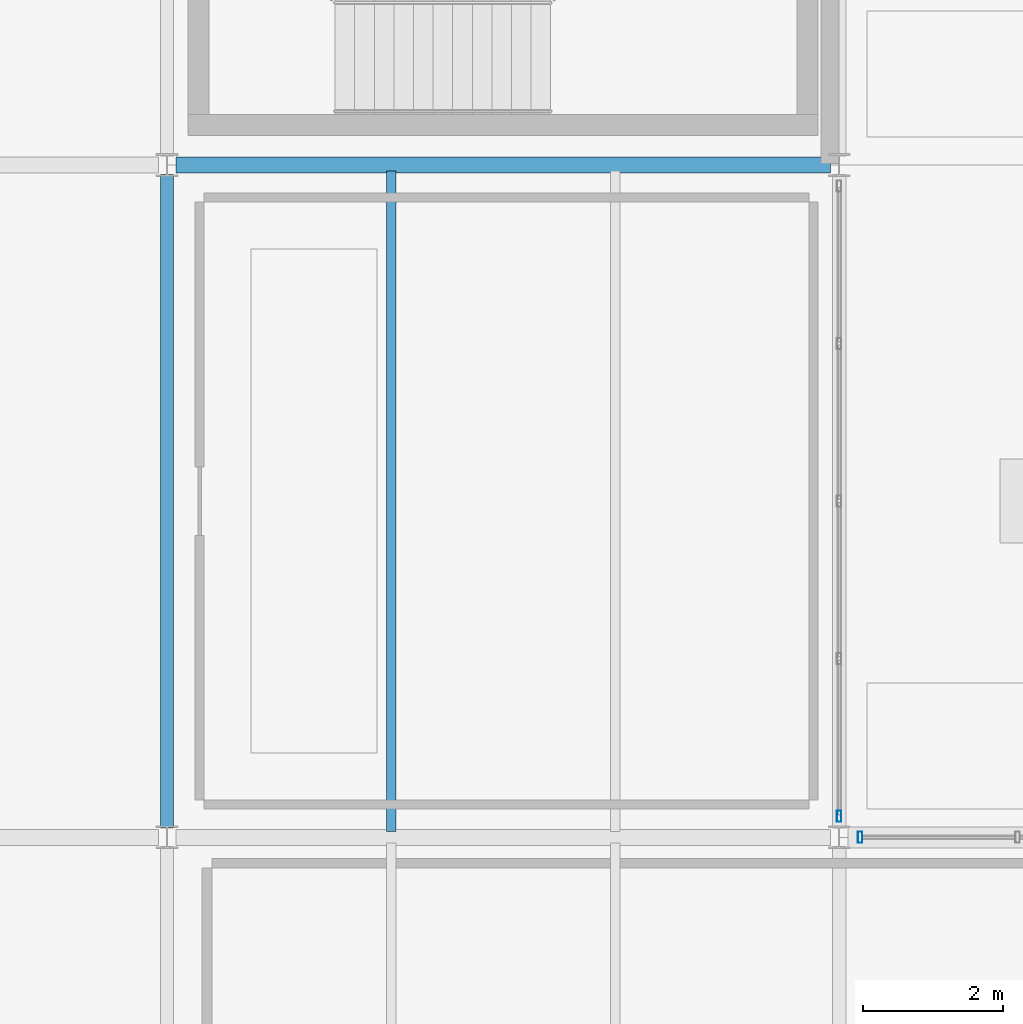
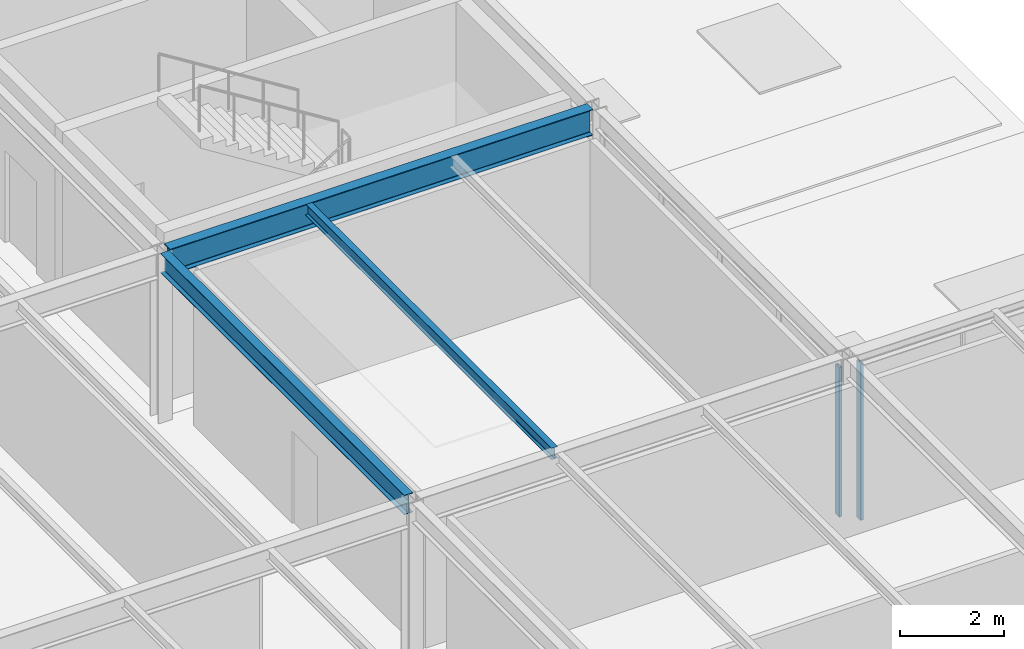
# One storey, part 15 of 50: 3 beams, 2 members, 2 elements without a shape of their own.
"""IFC4 building model written with IfcOpenShell, lengths in metres."""

from ifc_helpers import new_model, si_unit, direction, frame, origin, origin_2d, place, context, subcontext, project, spatial, hollow_rectangle, i_section, extrude, material, material_profile, profile_set, type_object, element, aggregate, save


model = new_model("IFC4")

# Units and contexts
model_context = context("Model", 3, precision=1e-05, world=origin(), true_north=direction((0.0, 1.0)))
body_context = subcontext(model_context, "Body", "Model", "MODEL_VIEW")
ifc_project = project(units=[si_unit("LENGTHUNIT", "METRE"), si_unit("AREAUNIT", "SQUARE_METRE"), si_unit("VOLUMEUNIT", "CUBIC_METRE"), si_unit("PLANEANGLEUNIT", "RADIAN"), si_unit("MASSUNIT", "GRAM", prefix="KILO")], contexts=[model_context])

# Site, building, storey
site_placement = place(None, origin())
site = spatial("IfcSite", under=ifc_project, at=site_placement, CompositionType="ELEMENT")
building_placement = place(site_placement, origin())
building = spatial("IfcBuilding", under=site, at=building_placement, Name="Coralgate Yard Interchange", CompositionType="ELEMENT")
storey_placement = place(building_placement, frame((0.0, 0.0, 14.699951171875)))
storey = spatial("IfcBuildingStorey", under=building, at=storey_placement, Name="L03", CompositionType="ELEMENT", Elevation=14.699951171875)

# Beams
ifc_material_1 = material(Name="Structural steel S355J2", Category="steel")
ifc_material_profile_1 = material_profile(ifc_material_1, i_section(OverallWidth=0.1904296875, OverallDepth=0.45703125, WebThickness=0.009033203125, FlangeThickness=0.014404296875, FilletRadius=0.01025390625, at=origin_2d()), Name="UB 457x191x74")
ifc_profile_set_1 = profile_set([ifc_material_profile_1], Name="Structural steel S355J2")
beam_type_1 = type_object("IfcBeamType", Name="BM-SB-2", PredefinedType="BEAM", material=ifc_profile_set_1)
beam_1_placement = place(storey_placement, frame((9.60009765625, 19.33349609375, 3.721435546875), z_axis=(0.0, 1.0, 0.0), x_axis=(-1.0, 0.0, 0.0)))
element("IfcBeam", 1, at=beam_1_placement, inside=storey, type_object=beam_type_1, Name="L03 primary grid girder X1 Y2-3", PredefinedType="BEAM", context=body_context, shape_type="SweptSolid", body=[
    extrude(i_section(OverallWidth=0.1904296875, OverallDepth=0.45703125, WebThickness=0.009033203125, FlangeThickness=0.014404296875, FilletRadius=0.01025390625, at=origin_2d()), origin(), (0.0, 0.0, 1.0), 9.3330078125),
])
ifc_material_profile_2 = material_profile(ifc_material_1, i_section(OverallWidth=0.228271484375, OverallDepth=0.607666015625, WebThickness=0.010986328125, FlangeThickness=0.017333984375, FilletRadius=0.0126953125, at=origin_2d()), Name="UB 610x229x113")
ifc_profile_set_2 = profile_set([ifc_material_profile_2], Name="Structural steel S355J2")
beam_type_2 = type_object("IfcBeamType", Name="BM-SG-5", PredefinedType="BEAM", material=ifc_profile_set_2)
beam_2_placement = place(storey_placement, frame((9.7255859375, 28.800048828125, 3.646240234375), z_axis=(1.0, 0.0, 0.0), x_axis=(0.0, 1.0, 0.0)))
element("IfcBeam", 2, at=beam_2_placement, inside=storey, type_object=beam_type_2, Name="L03 primary grid beam Y3 X1-2", PredefinedType="BEAM", context=body_context, shape_type="SweptSolid", body=[
    extrude(i_section(OverallWidth=0.228271484375, OverallDepth=0.607666015625, WebThickness=0.010986328125, FlangeThickness=0.017333984375, FilletRadius=0.0126953125, at=origin_2d()), origin(), (0.0, 0.0, 1.0), 9.348876953125),
])
ifc_material_profile_3 = material_profile(ifc_material_1, i_section(OverallWidth=0.135009765625, OverallDepth=0.27001953125, WebThickness=0.006591796875, FlangeThickness=0.01025390625, FilletRadius=0.014892578125, at=origin_2d()), Name="IPE 270")
ifc_profile_set_3 = profile_set([ifc_material_profile_3], Name="Structural steel S355J2")
beam_type_3 = type_object("IfcBeamType", Name="BM-SJ-3", PredefinedType="JOIST", material=ifc_profile_set_3)
beam_3_placement = place(storey_placement, frame((12.800048828125, 19.2841796875, 3.81494140625), z_axis=(0.0, 1.0, 0.0), x_axis=(-1.0, 0.0, 0.0)))
element("IfcBeam", 3, at=beam_3_placement, inside=storey, type_object=beam_type_3, Name="L03 composite floor joist 1-2-1", PredefinedType="JOIST", context=body_context, shape_type="SweptSolid", body=[
    extrude(i_section(OverallWidth=0.135009765625, OverallDepth=0.27001953125, WebThickness=0.006591796875, FlangeThickness=0.01025390625, FilletRadius=0.014892578125, at=origin_2d()), origin(), (0.0, 0.0, 1.0), 9.431640625),
])

# Curtain wall, member
ifc_material_2 = material(Name="Anodised coastal aluminium and solar-control low-E glass", Category="aluminium")
curtain_wall_type = type_object("IfcCurtainWallType", Name="CW-CW-L03-A", PredefinedType="NOTDEFINED", material=ifc_material_2)
curtain_wall_1_placement = place(storey_placement, origin())
curtain_wall_1 = element("IfcCurtainWall", 4, at=curtain_wall_1_placement, inside=storey, type_object=curtain_wall_type, Name="L03 unitised curtain wall CW-L03-E-01-02", PredefinedType="NOTDEFINED")
ifc_material_3 = material(Name="Anodised coastal aluminium 6063-T6", Category="aluminium")
ifc_material_profile_4 = material_profile(ifc_material_3, hollow_rectangle(XDim=0.06494140625, YDim=0.159912109375, WallThickness=0.00390625, InnerFilletRadius=0.00390625, OuterFilletRadius=0.008056640625, at=origin_2d()), Name="ALU 65x160x4")
ifc_profile_set_4 = profile_set([ifc_material_profile_4], Name="Anodised coastal aluminium 6063-T6")
member_type = type_object("IfcMemberType", Name="MB-MUL-160", PredefinedType="MULLION", material=ifc_profile_set_4)
member_1_placement = place(storey_placement, frame((19.199951171875, 19.5, 0.0), z_axis=(0.0, 0.0, 1.0), x_axis=(1.0, 0.0, 0.0)))
member_1 = element("IfcMember", 5, at=member_1_placement, type_object=member_type, Name="CW-L03-E-01-02 vertical mullion 5", PredefinedType="MULLION", context=body_context, shape_type="SweptSolid", body=[
    extrude(hollow_rectangle(XDim=0.06494140625, YDim=0.159912109375, WallThickness=0.00390625, InnerFilletRadius=0.00390625, OuterFilletRadius=0.008056640625, at=origin_2d()), origin(), (0.0, 0.0, 1.0), 3.4931640625),
])
aggregate(curtain_wall_1, [member_1])

curtain_wall_2_placement = place(storey_placement, origin())
curtain_wall_2 = element("IfcCurtainWall", 6, at=curtain_wall_2_placement, inside=storey, type_object=curtain_wall_type, Name="L03 unitised curtain wall CW-L03-N-02-01", PredefinedType="NOTDEFINED")
member_2_placement = place(storey_placement, frame((19.5, 19.199951171875, 0.0), z_axis=(0.0, 0.0, 1.0), x_axis=(1.0, 0.0, 0.0)))
member_2 = element("IfcMember", 7, at=member_2_placement, type_object=member_type, Name="CW-L03-N-02-01 vertical mullion 1", PredefinedType="MULLION", context=body_context, shape_type="SweptSolid", body=[
    extrude(hollow_rectangle(XDim=0.06494140625, YDim=0.159912109375, WallThickness=0.00390625, InnerFilletRadius=0.00390625, OuterFilletRadius=0.008056640625, at=origin_2d()), origin(), (0.0, 0.0, 1.0), 3.66015625),
])
aggregate(curtain_wall_2, [member_2])

save(model, "model.ifc")
